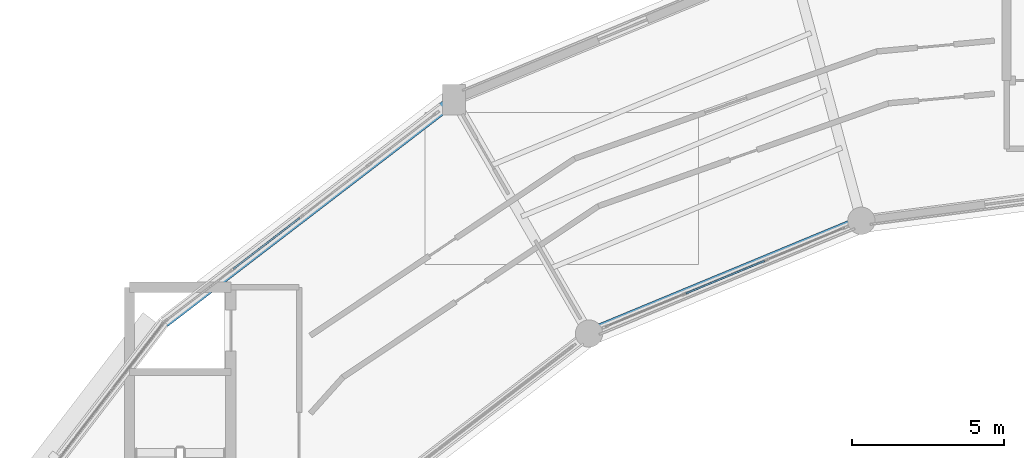
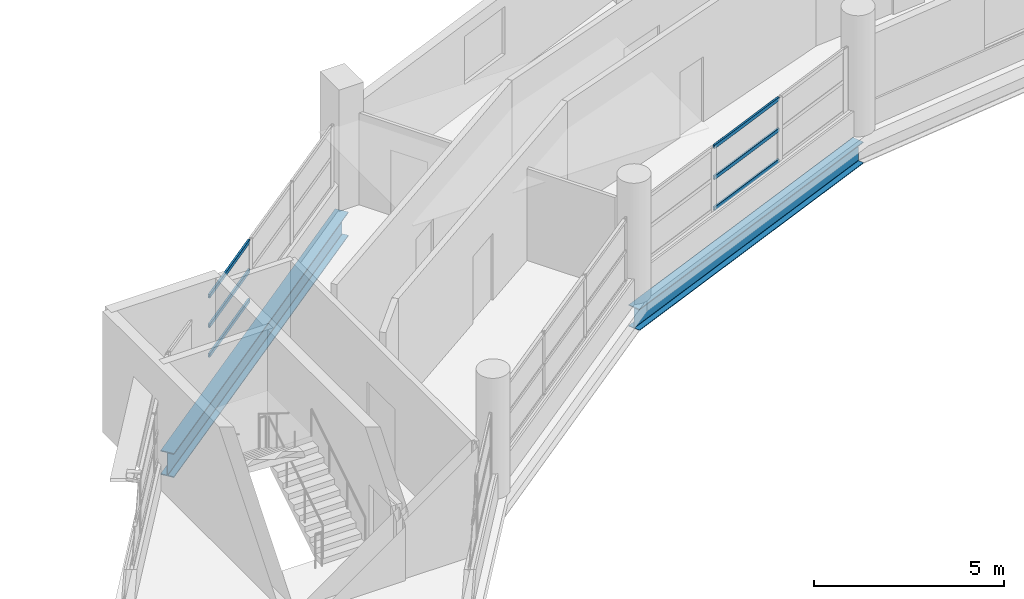
# One storey, part 63 of 108: 6 members, 2 beams, 2 elements without a shape of their own.
"""IFC4 building model written with IfcOpenShell, lengths in metres."""

from ifc_helpers import new_model, si_unit, direction, frame, origin, origin_2d, place, context, subcontext, project, spatial, hollow_rectangle, i_section, extrude, material, layer, layer_set, material_profile, profile_set, type_object, element, aggregate, save


model = new_model("IFC4")

# Units and contexts
model_context = context("Model", 3, precision=1e-05, world=origin(), true_north=direction((0.0, 1.0)))
body_context = subcontext(model_context, "Body", "Model", "MODEL_VIEW")
ifc_project = project(units=[si_unit("LENGTHUNIT", "METRE"), si_unit("AREAUNIT", "SQUARE_METRE"), si_unit("VOLUMEUNIT", "CUBIC_METRE"), si_unit("PLANEANGLEUNIT", "RADIAN"), si_unit("MASSUNIT", "GRAM", prefix="KILO")], contexts=[model_context])

# Site, building, storey
site_placement = place(None, origin())
site = spatial("IfcSite", under=ifc_project, at=site_placement, CompositionType="ELEMENT")
building_placement = place(site_placement, origin())
building = spatial("IfcBuilding", under=site, at=building_placement, Name="Vespera Passage Community Centre", CompositionType="ELEMENT")
storey_placement = place(building_placement, frame((0.0, 0.0, 12.60009765625)))
storey = spatial("IfcBuildingStorey", under=building, at=storey_placement, Name="L03", CompositionType="ELEMENT", Elevation=12.60009765625)

# Beams
ifc_material_1 = material(Name="Steel ASTM A992 Grade 50", Category="steel")
ifc_material_profile_1 = material_profile(ifc_material_1, i_section(OverallWidth=0.3544921875, OverallDepth=0.695556640625, WebThickness=0.015380859375, FlangeThickness=0.024658203125, FilletRadius=0.01513671875, at=origin_2d()), Name="W27X146")
ifc_profile_set_1 = profile_set([ifc_material_profile_1], Name="Steel ASTM A992 Grade 50")
beam_type_1 = type_object("IfcBeamType", Name="BM-SP-W27X146E", PredefinedType="SPANDREL", material=ifc_profile_set_1)
beam_1_placement = place(storey_placement, frame((68.371826171875, 101.432373046875, -0.747802734375), z_axis=(-0.923878947685, -0.382684844258, 0.0), x_axis=(0.382684844258, -0.923878947685, 0.0)))
element("IfcBeam", 1, at=beam_1_placement, inside=storey, type_object=beam_type_1, Name="V4 L03 Inner Spandrel 7", PredefinedType="SPANDREL", context=body_context, shape_type="SweptSolid", body=[
    extrude(i_section(OverallWidth=0.3544921875, OverallDepth=0.695556640625, WebThickness=0.015380859375, FlangeThickness=0.024658203125, FilletRadius=0.01513671875, at=origin_2d()), origin(), (0.0, 0.0, 1.0), 9.711181640625),
])
ifc_material_2 = material(Name="Steel ASTM A992 Grade 50", Category="steel")
ifc_material_profile_2 = material_profile(ifc_material_2, i_section(OverallWidth=0.382080078125, OverallDepth=0.779296875, WebThickness=0.01806640625, FlangeThickness=0.030029296875, FilletRadius=0.0166015625, at=origin_2d()), Name="W30X191")
ifc_profile_set_2 = profile_set([ifc_material_profile_2], Name="Steel ASTM A992 Grade 50")
beam_type_2 = type_object("IfcBeamType", Name="BM-SP-W30X191E", PredefinedType="SPANDREL", material=ifc_profile_set_2)
beam_2_placement = place(storey_placement, frame((54.949951171875, 105.423828125, -0.789794921875), z_axis=(-0.793351934501, -0.608763261066, 0.0), x_axis=(0.608763261066, -0.793351934501, 0.0)))
element("IfcBeam", 2, at=beam_2_placement, inside=storey, type_object=beam_type_2, Name="V4 L03 Outer Spandrel 8", PredefinedType="SPANDREL", context=body_context, shape_type="SweptSolid", body=[
    extrude(i_section(OverallWidth=0.382080078125, OverallDepth=0.779296875, WebThickness=0.01806640625, FlangeThickness=0.030029296875, FilletRadius=0.0166015625, at=origin_2d()), origin(), (0.0, 0.0, 1.0), 12.034423828125),
])

# Curtain wall, members
ifc_material_3 = material(Name="Anodized aluminium 6063-T6", Category="aluminium")
ifc_layer_1 = layer(ifc_material_3, 0.159912109375)
ifc_layer_set_1 = layer_set([ifc_layer_1], Name="Anodized aluminium 6063-T6")
curtain_wall_type_1 = type_object("IfcCurtainWallType", Name="CW-40E", PredefinedType="NOTDEFINED", material=ifc_layer_set_1)
curtain_wall_1_placement = place(storey_placement, origin())
curtain_wall_1 = element("IfcCurtainWall", 3, at=curtain_wall_1_placement, inside=storey, type_object=curtain_wall_type_1, Name="V4 L03 Inner Court Curtain Wall 7", PredefinedType="NOTDEFINED")
ifc_material_4 = material(Name="Anodized aluminium 6063-T6", Category="aluminium")
ifc_material_profile_3 = material_profile(ifc_material_4, hollow_rectangle(XDim=0.06005859375, YDim=0.1201171875, WallThickness=0.00390625, InnerFilletRadius=0.001953125, OuterFilletRadius=0.00390625, at=origin_2d()), Name="ALU120X60X4")
ifc_profile_set_3 = profile_set([ifc_material_profile_3], Name="Anodized aluminium 6063-T6")
member_type = type_object("IfcMemberType", Name="MB-CWT-120E", PredefinedType="USERDEFINED", material=ifc_profile_set_3)
member_1_placement = place(storey_placement, frame((65.180419921875, 100.1103515625, 0.849853515625), z_axis=(-0.923889408399, -0.382659588994, 0.0), x_axis=(0.382659588994, -0.923889408399, 0.0)))
member_1 = element("IfcMember", 4, at=member_1_placement, type_object=member_type, Name="CW-40E transom 2.1", ObjectType="TRANSOM", PredefinedType="USERDEFINED", context=body_context, shape_type="SweptSolid", body=[
    extrude(hollow_rectangle(XDim=0.06005859375, YDim=0.1201171875, WallThickness=0.00390625, InnerFilletRadius=0.001953125, OuterFilletRadius=0.00390625, at=origin_2d()), origin(), (0.0, 0.0, 1.0), 2.80224609375),
])
member_2_placement = place(storey_placement, frame((65.180419921875, 100.1103515625, 1.844482421875), z_axis=(-0.923889408399, -0.382659588994, 0.0), x_axis=(0.382659588994, -0.923889408399, 0.0)))
member_2 = element("IfcMember", 5, at=member_2_placement, type_object=member_type, Name="CW-40E transom 2.2", ObjectType="TRANSOM", PredefinedType="USERDEFINED", context=body_context, shape_type="SweptSolid", body=[
    extrude(hollow_rectangle(XDim=0.06005859375, YDim=0.1201171875, WallThickness=0.00390625, InnerFilletRadius=0.001953125, OuterFilletRadius=0.00390625, at=origin_2d()), origin(), (0.0, 0.0, 1.0), 2.80224609375),
])
member_3_placement = place(storey_placement, frame((65.180419921875, 100.1103515625, 2.83935546875), z_axis=(-0.923889408399, -0.382659588994, 0.0), x_axis=(0.382659588994, -0.923889408399, 0.0)))
member_3 = element("IfcMember", 6, at=member_3_placement, type_object=member_type, Name="CW-40E transom 2.3", ObjectType="TRANSOM", PredefinedType="USERDEFINED", context=body_context, shape_type="SweptSolid", body=[
    extrude(hollow_rectangle(XDim=0.06005859375, YDim=0.1201171875, WallThickness=0.00390625, InnerFilletRadius=0.001953125, OuterFilletRadius=0.00390625, at=origin_2d()), origin(), (0.0, 0.0, 1.0), 2.80224609375),
])
aggregate(curtain_wall_1, [member_1, member_2, member_3])

ifc_material_5 = material(Name="Anodized aluminium 6063-T6", Category="aluminium")
ifc_layer_2 = layer(ifc_material_5, 0.159912109375)
ifc_layer_set_2 = layer_set([ifc_layer_2], Name="Anodized aluminium 6063-T6")
curtain_wall_type_2 = type_object("IfcCurtainWallType", Name="CW-44E", PredefinedType="NOTDEFINED", material=ifc_layer_set_2)
curtain_wall_2_placement = place(storey_placement, origin())
curtain_wall_2 = element("IfcCurtainWall", 7, at=curtain_wall_2_placement, inside=storey, type_object=curtain_wall_type_2, Name="V4 L03 Outer Ribbon Curtain Wall 8", PredefinedType="NOTDEFINED")
member_4_placement = place(storey_placement, frame((47.6826171875, 99.847412109375, 0.849853515625), z_axis=(0.793353015375, 0.608761852448, 0.0), x_axis=(-0.608761852448, 0.793353015375, 0.0)))
member_4 = element("IfcMember", 8, at=member_4_placement, type_object=member_type, Name="CW-44E transom 2.1", ObjectType="TRANSOM", PredefinedType="USERDEFINED", context=body_context, shape_type="SweptSolid", body=[
    extrude(hollow_rectangle(XDim=0.06005859375, YDim=0.1201171875, WallThickness=0.00390625, InnerFilletRadius=0.001953125, OuterFilletRadius=0.00390625, at=origin_2d()), origin(), (0.0, 0.0, 1.0), 2.761474609375),
])
member_5_placement = place(storey_placement, frame((47.6826171875, 99.847412109375, 1.802734375), z_axis=(0.793353015375, 0.608761852448, 0.0), x_axis=(-0.608761852448, 0.793353015375, 0.0)))
member_5 = element("IfcMember", 9, at=member_5_placement, type_object=member_type, Name="CW-44E transom 2.2", ObjectType="TRANSOM", PredefinedType="USERDEFINED", context=body_context, shape_type="SweptSolid", body=[
    extrude(hollow_rectangle(XDim=0.06005859375, YDim=0.1201171875, WallThickness=0.00390625, InnerFilletRadius=0.001953125, OuterFilletRadius=0.00390625, at=origin_2d()), origin(), (0.0, 0.0, 1.0), 2.761474609375),
])
member_6_placement = place(storey_placement, frame((47.6826171875, 99.847412109375, 2.755615234375), z_axis=(0.793353015375, 0.608761852448, 0.0), x_axis=(-0.608761852448, 0.793353015375, 0.0)))
member_6 = element("IfcMember", 10, at=member_6_placement, type_object=member_type, Name="CW-44E transom 2.3", ObjectType="TRANSOM", PredefinedType="USERDEFINED", context=body_context, shape_type="SweptSolid", body=[
    extrude(hollow_rectangle(XDim=0.06005859375, YDim=0.1201171875, WallThickness=0.00390625, InnerFilletRadius=0.001953125, OuterFilletRadius=0.00390625, at=origin_2d()), origin(), (0.0, 0.0, 1.0), 2.761474609375),
])
aggregate(curtain_wall_2, [member_4, member_5, member_6])

save(model, "model.ifc")
